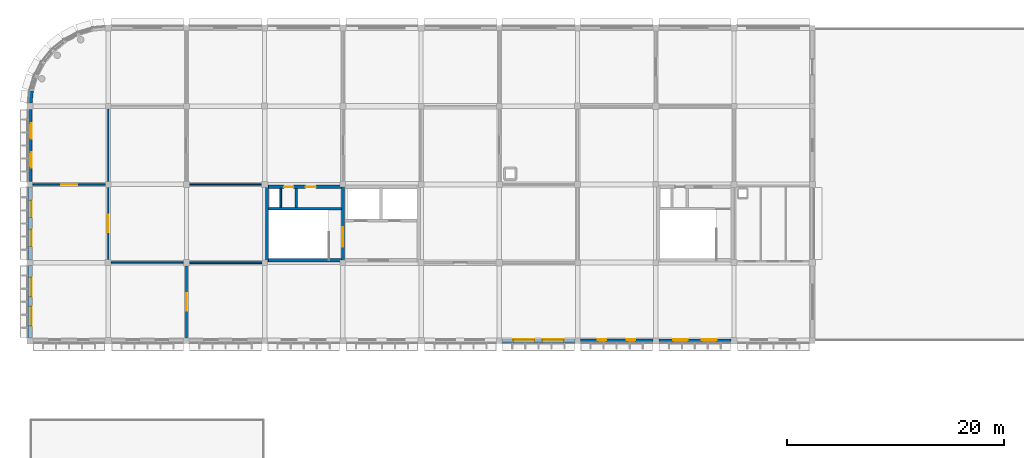
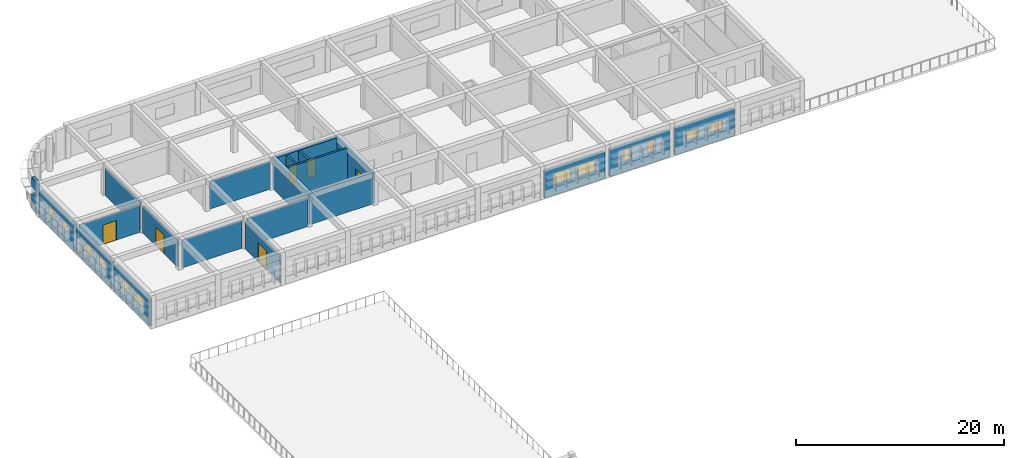
# One storey, part 15 of 22: 21 walls, 12 windows, 6 doors, 18 openings.
"""IFC4 building model written with IfcOpenShell, lengths in metres."""

from ifc_helpers import new_model, si_unit, direction, frame, frame_2d, origin, place, context, subcontext, project, spatial, rectangle, extrude, material, layer, layer_set, type_object, element, fill, save


model = new_model("IFC4")

# Units and contexts
model_context = context("Model", 3, precision=1e-05, world=origin(), true_north=direction((0.0, 1.0)))
body_context = subcontext(model_context, "Body", "Model", "MODEL_VIEW")
ifc_project = project(units=[si_unit("LENGTHUNIT", "METRE"), si_unit("AREAUNIT", "SQUARE_METRE"), si_unit("VOLUMEUNIT", "CUBIC_METRE"), si_unit("PLANEANGLEUNIT", "RADIAN"), si_unit("MASSUNIT", "GRAM", prefix="KILO")], contexts=[model_context])

# Site, building, storey
site_placement = place(None, origin())
site = spatial("IfcSite", under=ifc_project, at=site_placement, CompositionType="ELEMENT")
building_placement = place(site_placement, origin())
building = spatial("IfcBuilding", under=site, at=building_placement, Name="Thalmaran Polytechnic", CompositionType="ELEMENT")
storey_placement = place(building_placement, frame((0.0, 0.0, 22.800048828125)))
storey = spatial("IfcBuildingStorey", under=building, at=storey_placement, Name="L05", CompositionType="ELEMENT", Elevation=22.800048828125)

# Wall, openings, windows
ifc_material_1 = material(Name="Precast concrete C40/50", Category="concrete")
ifc_layer_1 = layer(ifc_material_1, 0.360107421875, Name="Precast concrete C40/50")
ifc_layer_set_1 = layer_set([ifc_layer_1], Name="Precast concrete C40/50")
wall_type_1 = type_object("IfcWallType", Name="WL-EW01", PredefinedType="STANDARD", material=ifc_layer_set_1)
wall_1_placement = place(storey_placement, frame((0.0, 93.875, 0.0), z_axis=(0.0, 0.0, 1.0), x_axis=(0.0, 1.0, 0.0)))
wall_1 = element("IfcWall", 1, at=wall_1_placement, inside=storey, type_object=wall_type_1, Name="Exterior Precast Facade Wall L05-001", PredefinedType="STANDARD", context=body_context, shape_type="SweptSolid", body=[
    extrude(rectangle(XDim=6.6650390625, YDim=0.360107421875, at=frame_2d((3.33251953125, 0.0))), origin(), (0.0, 0.0, 1.0), 3.094970703125),
])
opening_1_placement = place(wall_1_placement, frame((1.12451171875, 0.0, 1.14990234375)))
opening_1 = element("IfcOpeningElement", 2, at=opening_1_placement, cuts=wall_1, Name="Opening VW08", PredefinedType="OPENING", context=body_context, shape_type="SweptSolid", body=[
    extrude(rectangle(XDim=1.75, YDim=1.39990234375, at=frame_2d((0.875, 0.699951171875))), frame((0.0, 0.18994140625, 0.0), z_axis=(0.0, -1.0, 0.0), x_axis=(1.0, 0.0, 0.0)), (0.0, 0.0, 1.0), 0.380126953125),
])
opening_2_placement = place(wall_1_placement, frame((3.79052734375, 0.0, 1.14990234375)))
opening_2 = element("IfcOpeningElement", 3, at=opening_2_placement, cuts=wall_1, Name="Opening VW08", PredefinedType="OPENING", context=body_context, shape_type="SweptSolid", body=[
    extrude(rectangle(XDim=1.75, YDim=1.39990234375, at=frame_2d((0.875, 0.699951171875))), frame((0.0, 0.18994140625, 0.0), z_axis=(0.0, -1.0, 0.0), x_axis=(1.0, 0.0, 0.0)), (0.0, 0.0, 1.0), 0.380126953125),
])
ifc_material_2 = material(Name="Thermally broken aluminium and double low-E glass", Category="aluminium")
window_type_1 = type_object("IfcWindowType", Name="WN-VZ08", PartitioningType="SINGLE_PANEL", PredefinedType="WINDOW", material=ifc_material_2)
window_1_placement = place(opening_1_placement, origin())
window_1 = element("IfcWindow", 4, at=window_1_placement, inside=storey, type_object=window_type_1, Name="Deep-Set Solar-Screened Window W-0650", OverallHeight=1.39990234375, OverallWidth=1.75, PartitioningType="SINGLE_PANEL", PredefinedType="WINDOW", context=body_context, shape_type="SweptSolid", body=[
    extrude(rectangle(XDim=1.75, YDim=1.39990234375, at=frame_2d((0.875, 0.699951171875))), frame((0.0, -0.080078125, 0.0), z_axis=(0.0, -1.0, 0.0), x_axis=(1.0, 0.0, 0.0)), (0.0, 0.0, 1.0), 0.06005859375),
])
fill(opening_1, window_1)
window_2_placement = place(opening_2_placement, origin())
window_2 = element("IfcWindow", 5, at=window_2_placement, inside=storey, type_object=window_type_1, Name="Deep-Set Solar-Screened Window W-0651", OverallHeight=1.39990234375, OverallWidth=1.75, PartitioningType="SINGLE_PANEL", PredefinedType="WINDOW", context=body_context, shape_type="SweptSolid", body=[
    extrude(rectangle(XDim=1.75, YDim=1.39990234375, at=frame_2d((0.875, 0.699951171875))), frame((0.0, -0.080078125, 0.0), z_axis=(0.0, -1.0, 0.0), x_axis=(1.0, 0.0, 0.0)), (0.0, 0.0, 1.0), 0.06005859375),
])
fill(opening_2, window_2)

wall_2_placement = place(storey_placement, frame((0.0, 101.06005859375, 0.0), z_axis=(0.0, 0.0, 1.0), x_axis=(0.0, 1.0, 0.0)))
wall_2 = element("IfcWall", 6, at=wall_2_placement, inside=storey, type_object=wall_type_1, Name="Exterior Precast Facade Wall L05-002", PredefinedType="STANDARD", context=body_context, shape_type="SweptSolid", body=[
    extrude(rectangle(XDim=6.68994140625, YDim=0.360107421875, at=frame_2d((3.344970703125, 0.0))), origin(), (0.0, 0.0, 1.0), 3.094970703125),
])
opening_3_placement = place(wall_2_placement, frame((1.23193359375, 0.0, 1.14990234375)))
opening_3 = element("IfcOpeningElement", 7, at=opening_3_placement, cuts=wall_2, Name="Opening VW09", PredefinedType="OPENING", context=body_context, shape_type="SweptSolid", body=[
    extrude(rectangle(XDim=1.550048828125, YDim=1.35009765625, at=frame_2d((0.77490234375, 0.675048828125))), frame((0.0, 0.18994140625, 0.0), z_axis=(0.0, -1.0, 0.0), x_axis=(1.0, 0.0, 0.0)), (0.0, 0.0, 1.0), 0.380126953125),
])
opening_4_placement = place(wall_2_placement, frame((3.907958984375, 0.0, 1.14990234375)))
opening_4 = element("IfcOpeningElement", 8, at=opening_4_placement, cuts=wall_2, Name="Opening VW09", PredefinedType="OPENING", context=body_context, shape_type="SweptSolid", body=[
    extrude(rectangle(XDim=1.550048828125, YDim=1.35009765625, at=frame_2d((0.77490234375, 0.675048828125))), frame((0.0, 0.18994140625, 0.0), z_axis=(0.0, -1.0, 0.0), x_axis=(1.0, 0.0, 0.0)), (0.0, 0.0, 1.0), 0.380126953125),
])
window_type_2 = type_object("IfcWindowType", Name="WN-VZ09", PartitioningType="SINGLE_PANEL", PredefinedType="WINDOW", material=ifc_material_2)
window_3_placement = place(opening_3_placement, origin())
window_3 = element("IfcWindow", 9, at=window_3_placement, inside=storey, type_object=window_type_2, Name="Deep-Set Solar-Screened Window W-0652", OverallHeight=1.35009765625, OverallWidth=1.550048828125, PartitioningType="SINGLE_PANEL", PredefinedType="WINDOW", context=body_context, shape_type="SweptSolid", body=[
    extrude(rectangle(XDim=1.550048828125, YDim=1.35009765625, at=frame_2d((0.77490234375, 0.675048828125))), frame((0.0, -0.080078125, 0.0), z_axis=(0.0, -1.0, 0.0), x_axis=(1.0, 0.0, 0.0)), (0.0, 0.0, 1.0), 0.06005859375),
])
fill(opening_3, window_3)
window_4_placement = place(opening_4_placement, origin())
window_4 = element("IfcWindow", 10, at=window_4_placement, inside=storey, type_object=window_type_2, Name="Deep-Set Solar-Screened Window W-0653", OverallHeight=1.35009765625, OverallWidth=1.550048828125, PartitioningType="SINGLE_PANEL", PredefinedType="WINDOW", context=body_context, shape_type="SweptSolid", body=[
    extrude(rectangle(XDim=1.550048828125, YDim=1.35009765625, at=frame_2d((0.77490234375, 0.675048828125))), frame((0.0, -0.080078125, 0.0), z_axis=(0.0, -1.0, 0.0), x_axis=(1.0, 0.0, 0.0)), (0.0, 0.0, 1.0), 0.06005859375),
])
fill(opening_4, window_4)

wall_3_placement = place(storey_placement, frame((0.0, 108.25, 0.0), z_axis=(0.0, 0.0, 1.0), x_axis=(0.0, 1.0, 0.0)))
wall_3 = element("IfcWall", 11, at=wall_3_placement, inside=storey, type_object=wall_type_1, Name="Exterior Precast Facade Wall L05-003", PredefinedType="STANDARD", context=body_context, shape_type="SweptSolid", body=[
    extrude(rectangle(XDim=6.659912109375, YDim=0.360107421875, at=frame_2d((3.330078125, 0.0))), origin(), (0.0, 0.0, 1.0), 3.094970703125),
])
opening_5_placement = place(wall_3_placement, frame((1.298095703125, 0.0, 1.14990234375)))
opening_5 = element("IfcOpeningElement", 12, at=opening_5_placement, cuts=wall_3, Name="Opening VW10", PredefinedType="OPENING", context=body_context, shape_type="SweptSolid", body=[
    extrude(rectangle(XDim=1.39990234375, YDim=1.300048828125, at=frame_2d((0.699951171875, 0.64990234375))), frame((0.0, 0.18994140625, 0.0), z_axis=(0.0, -1.0, 0.0), x_axis=(1.0, 0.0, 0.0)), (0.0, 0.0, 1.0), 0.380126953125),
])
opening_6_placement = place(wall_3_placement, frame((3.9619140625, 0.0, 1.14990234375)))
opening_6 = element("IfcOpeningElement", 13, at=opening_6_placement, cuts=wall_3, Name="Opening VW10", PredefinedType="OPENING", context=body_context, shape_type="SweptSolid", body=[
    extrude(rectangle(XDim=1.39990234375, YDim=1.300048828125, at=frame_2d((0.699951171875, 0.64990234375))), frame((0.0, 0.18994140625, 0.0), z_axis=(0.0, -1.0, 0.0), x_axis=(1.0, 0.0, 0.0)), (0.0, 0.0, 1.0), 0.380126953125),
])
window_type_3 = type_object("IfcWindowType", Name="WN-VZ10", PartitioningType="SINGLE_PANEL", PredefinedType="WINDOW", material=ifc_material_2)
window_5_placement = place(opening_5_placement, origin())
window_5 = element("IfcWindow", 14, at=window_5_placement, inside=storey, type_object=window_type_3, Name="Deep-Set Solar-Screened Window W-0654", OverallHeight=1.300048828125, OverallWidth=1.39990234375, PartitioningType="SINGLE_PANEL", PredefinedType="WINDOW", context=body_context, shape_type="SweptSolid", body=[
    extrude(rectangle(XDim=1.39990234375, YDim=1.300048828125, at=frame_2d((0.699951171875, 0.64990234375))), frame((0.0, -0.080078125, 0.0), z_axis=(0.0, -1.0, 0.0), x_axis=(1.0, 0.0, 0.0)), (0.0, 0.0, 1.0), 0.06005859375),
])
fill(opening_5, window_5)
window_6_placement = place(opening_6_placement, origin())
window_6 = element("IfcWindow", 15, at=window_6_placement, inside=storey, type_object=window_type_3, Name="Deep-Set Solar-Screened Window W-0655", OverallHeight=1.300048828125, OverallWidth=1.39990234375, PartitioningType="SINGLE_PANEL", PredefinedType="WINDOW", context=body_context, shape_type="SweptSolid", body=[
    extrude(rectangle(XDim=1.39990234375, YDim=1.300048828125, at=frame_2d((0.699951171875, 0.64990234375))), frame((0.0, -0.080078125, 0.0), z_axis=(0.0, -1.0, 0.0), x_axis=(1.0, 0.0, 0.0)), (0.0, 0.0, 1.0), 0.06005859375),
])
fill(opening_6, window_6)

# Wall
wall_4_placement = place(storey_placement, frame((0.0283203125, 115.488525390625, 0.0), z_axis=(0.0, 0.0, 1.0), x_axis=(0.098167460497, 0.995169909965, 0.0)))
element("IfcWall", 16, at=wall_4_placement, inside=storey, type_object=wall_type_1, Name="Exterior Precast Facade Wall L05-004", PredefinedType="STANDARD", context=body_context, shape_type="SweptSolid", body=[
    extrude(rectangle(XDim=1.12158203125, YDim=0.360107421875, at=frame_2d((0.560791015625, 0.0))), origin(), (0.0, 0.0, 1.0), 3.669921875),
])

# Wall, openings, windows
wall_5_placement = place(storey_placement, frame((64.510009765625, 93.60009765625, 0.0), z_axis=(0.0, 0.0, 1.0), x_axis=(-1.0, 0.0, 0.0)))
wall_5 = element("IfcWall", 17, at=wall_5_placement, inside=storey, type_object=wall_type_1, Name="Exterior Precast Facade Wall L05-026", PredefinedType="STANDARD", context=body_context, shape_type="SweptSolid", body=[
    extrude(rectangle(XDim=6.635009765625, YDim=0.360107421875, at=frame_2d((3.3173828125, 0.0))), origin(), (0.0, 0.0, 1.0), 3.094970703125),
])
opening_7_placement = place(wall_5_placement, frame((1.3154296875, 0.0, 1.14990234375)))
opening_7 = element("IfcOpeningElement", 18, at=opening_7_placement, cuts=wall_5, Name="Opening PW15", PredefinedType="OPENING", context=body_context, shape_type="SweptSolid", body=[
    extrude(rectangle(XDim=1.35009765625, YDim=1.10009765625, at=frame_2d((0.675048828125, 0.550048828125))), frame((0.0, 0.18994140625, 0.0), z_axis=(0.0, -1.0, 0.0), x_axis=(1.0, 0.0, 0.0)), (0.0, 0.0, 1.0), 0.380126953125),
])
opening_8_placement = place(wall_5_placement, frame((3.969482421875, 0.0, 1.14990234375)))
opening_8 = element("IfcOpeningElement", 19, at=opening_8_placement, cuts=wall_5, Name="Opening PW15", PredefinedType="OPENING", context=body_context, shape_type="SweptSolid", body=[
    extrude(rectangle(XDim=1.35009765625, YDim=1.10009765625, at=frame_2d((0.675048828125, 0.550048828125))), frame((0.0, 0.18994140625, 0.0), z_axis=(0.0, -1.0, 0.0), x_axis=(1.0, 0.0, 0.0)), (0.0, 0.0, 1.0), 0.380126953125),
])
window_type_4 = type_object("IfcWindowType", Name="WN-PW05", PartitioningType="SINGLE_PANEL", PredefinedType="WINDOW", material=ifc_material_2)
window_7_placement = place(opening_7_placement, origin())
window_7 = element("IfcWindow", 20, at=window_7_placement, inside=storey, type_object=window_type_4, Name="Deep-Set Solar-Screened Window W-0674", OverallHeight=1.10009765625, OverallWidth=1.35009765625, PartitioningType="SINGLE_PANEL", PredefinedType="WINDOW", context=body_context, shape_type="SweptSolid", body=[
    extrude(rectangle(XDim=1.35009765625, YDim=1.10009765625, at=frame_2d((0.675048828125, 0.550048828125))), frame((0.0, -0.080078125, 0.0), z_axis=(0.0, -1.0, 0.0), x_axis=(1.0, 0.0, 0.0)), (0.0, 0.0, 1.0), 0.06005859375),
])
fill(opening_7, window_7)
window_8_placement = place(opening_8_placement, origin())
window_8 = element("IfcWindow", 21, at=window_8_placement, inside=storey, type_object=window_type_4, Name="Deep-Set Solar-Screened Window W-0675", OverallHeight=1.10009765625, OverallWidth=1.35009765625, PartitioningType="SINGLE_PANEL", PredefinedType="WINDOW", context=body_context, shape_type="SweptSolid", body=[
    extrude(rectangle(XDim=1.35009765625, YDim=1.10009765625, at=frame_2d((0.675048828125, 0.550048828125))), frame((0.0, -0.080078125, 0.0), z_axis=(0.0, -1.0, 0.0), x_axis=(1.0, 0.0, 0.0)), (0.0, 0.0, 1.0), 0.06005859375),
])
fill(opening_8, window_8)

wall_6_placement = place(storey_placement, frame((57.324951171875, 93.60009765625, 0.0), z_axis=(0.0, 0.0, 1.0), x_axis=(-1.0, 0.0, 0.0)))
wall_6 = element("IfcWall", 22, at=wall_6_placement, inside=storey, type_object=wall_type_1, Name="Exterior Precast Facade Wall L05-027", PredefinedType="STANDARD", context=body_context, shape_type="SweptSolid", body=[
    extrude(rectangle(XDim=6.6650390625, YDim=0.360107421875, at=frame_2d((3.33251953125, 0.0))), origin(), (0.0, 0.0, 1.0), 3.094970703125),
])
opening_9_placement = place(wall_6_placement, frame((1.599609375, 0.0, 1.14990234375)))
opening_9 = element("IfcOpeningElement", 23, at=opening_9_placement, cuts=wall_6, Name="Opening PW16", PredefinedType="OPENING", context=body_context, shape_type="SweptSolid", body=[
    extrude(rectangle(XDim=0.800048828125, YDim=1.5, at=frame_2d((0.39990234375, 0.75))), frame((0.0, 0.18994140625, 0.0), z_axis=(0.0, -1.0, 0.0), x_axis=(1.0, 0.0, 0.0)), (0.0, 0.0, 1.0), 0.380126953125),
])
opening_10_placement = place(wall_6_placement, frame((4.265380859375, 0.0, 1.14990234375)))
opening_10 = element("IfcOpeningElement", 24, at=opening_10_placement, cuts=wall_6, Name="Opening PW16", PredefinedType="OPENING", context=body_context, shape_type="SweptSolid", body=[
    extrude(rectangle(XDim=0.800048828125, YDim=1.5, at=frame_2d((0.39990234375, 0.75))), frame((0.0, 0.18994140625, 0.0), z_axis=(0.0, -1.0, 0.0), x_axis=(1.0, 0.0, 0.0)), (0.0, 0.0, 1.0), 0.380126953125),
])
window_type_5 = type_object("IfcWindowType", Name="WN-PW06", PartitioningType="SINGLE_PANEL", PredefinedType="WINDOW", material=ifc_material_2)
window_9_placement = place(opening_9_placement, origin())
window_9 = element("IfcWindow", 25, at=window_9_placement, inside=storey, type_object=window_type_5, Name="Deep-Set Solar-Screened Window W-0676", OverallHeight=1.5, OverallWidth=0.800048828125, PartitioningType="SINGLE_PANEL", PredefinedType="WINDOW", context=body_context, shape_type="SweptSolid", body=[
    extrude(rectangle(XDim=0.800048828125, YDim=1.5, at=frame_2d((0.39990234375, 0.75))), frame((0.0, -0.080078125, 0.0), z_axis=(0.0, -1.0, 0.0), x_axis=(1.0, 0.0, 0.0)), (0.0, 0.0, 1.0), 0.06005859375),
])
fill(opening_9, window_9)
window_10_placement = place(opening_10_placement, origin())
window_10 = element("IfcWindow", 26, at=window_10_placement, inside=storey, type_object=window_type_5, Name="Deep-Set Solar-Screened Window W-0677", OverallHeight=1.5, OverallWidth=0.800048828125, PartitioningType="SINGLE_PANEL", PredefinedType="WINDOW", context=body_context, shape_type="SweptSolid", body=[
    extrude(rectangle(XDim=0.800048828125, YDim=1.5, at=frame_2d((0.39990234375, 0.75))), frame((0.0, -0.080078125, 0.0), z_axis=(0.0, -1.0, 0.0), x_axis=(1.0, 0.0, 0.0)), (0.0, 0.0, 1.0), 0.06005859375),
])
fill(opening_10, window_10)

wall_7_placement = place(storey_placement, frame((50.139892578125, 93.60009765625, 0.0), z_axis=(0.0, 0.0, 1.0), x_axis=(-1.0, 0.0, 0.0)))
wall_7 = element("IfcWall", 27, at=wall_7_placement, inside=storey, type_object=wall_type_1, Name="Exterior Precast Facade Wall L05-028", PredefinedType="STANDARD", context=body_context, shape_type="SweptSolid", body=[
    extrude(rectangle(XDim=6.68994140625, YDim=0.360107421875, at=frame_2d((3.344970703125, 0.0))), origin(), (0.0, 0.0, 1.0), 3.094970703125),
])
opening_11_placement = place(wall_7_placement, frame((1.031982421875, 0.0, 1.14990234375)))
opening_11 = element("IfcOpeningElement", 28, at=opening_11_placement, cuts=wall_7, Name="Opening VW07", PredefinedType="OPENING", context=body_context, shape_type="SweptSolid", body=[
    extrude(rectangle(XDim=1.949951171875, YDim=1.39990234375, at=frame_2d((0.97509765625, 0.699951171875))), frame((0.0, 0.18994140625, 0.0), z_axis=(0.0, -1.0, 0.0), x_axis=(1.0, 0.0, 0.0)), (0.0, 0.0, 1.0), 0.380126953125),
])
opening_12_placement = place(wall_7_placement, frame((3.7080078125, 0.0, 1.14990234375)))
opening_12 = element("IfcOpeningElement", 29, at=opening_12_placement, cuts=wall_7, Name="Opening VW07", PredefinedType="OPENING", context=body_context, shape_type="SweptSolid", body=[
    extrude(rectangle(XDim=1.949951171875, YDim=1.39990234375, at=frame_2d((0.97509765625, 0.699951171875))), frame((0.0, 0.18994140625, 0.0), z_axis=(0.0, -1.0, 0.0), x_axis=(1.0, 0.0, 0.0)), (0.0, 0.0, 1.0), 0.380126953125),
])
window_type_6 = type_object("IfcWindowType", Name="WN-VZ07", PartitioningType="SINGLE_PANEL", PredefinedType="WINDOW", material=ifc_material_2)
window_11_placement = place(opening_11_placement, origin())
window_11 = element("IfcWindow", 30, at=window_11_placement, inside=storey, type_object=window_type_6, Name="Deep-Set Solar-Screened Window W-0678", OverallHeight=1.39990234375, OverallWidth=1.949951171875, PartitioningType="SINGLE_PANEL", PredefinedType="WINDOW", context=body_context, shape_type="SweptSolid", body=[
    extrude(rectangle(XDim=1.949951171875, YDim=1.39990234375, at=frame_2d((0.97509765625, 0.699951171875))), frame((0.0, -0.080078125, 0.0), z_axis=(0.0, -1.0, 0.0), x_axis=(1.0, 0.0, 0.0)), (0.0, 0.0, 1.0), 0.06005859375),
])
fill(opening_11, window_11)
window_12_placement = place(opening_12_placement, origin())
window_12 = element("IfcWindow", 31, at=window_12_placement, inside=storey, type_object=window_type_6, Name="Deep-Set Solar-Screened Window W-0679", OverallHeight=1.39990234375, OverallWidth=1.949951171875, PartitioningType="SINGLE_PANEL", PredefinedType="WINDOW", context=body_context, shape_type="SweptSolid", body=[
    extrude(rectangle(XDim=1.949951171875, YDim=1.39990234375, at=frame_2d((0.97509765625, 0.699951171875))), frame((0.0, -0.080078125, 0.0), z_axis=(0.0, -1.0, 0.0), x_axis=(1.0, 0.0, 0.0)), (0.0, 0.0, 1.0), 0.06005859375),
])
fill(opening_12, window_12)

# Walls
ifc_material_3 = material(Name="Autoclaved aerated masonry", Category="masonry")
ifc_layer_2 = layer(ifc_material_3, 0.22998046875, Name="Autoclaved aerated masonry")
ifc_layer_set_2 = layer_set([ifc_layer_2], Name="Autoclaved aerated masonry")
wall_type_2 = type_object("IfcWallType", Name="WL-IW02", PredefinedType="PARTITIONING", material=ifc_layer_set_2)
wall_8_placement = place(storey_placement, frame((24.5, 105.89990234375, 0.0), z_axis=(0.0, 0.0, 1.0), x_axis=(0.0, 1.0, 0.0)))
element("IfcWall", 32, at=wall_8_placement, inside=storey, type_object=wall_type_2, Name="Core C2 Riser Partition L05", PredefinedType="PARTITIONING", context=body_context, shape_type="SweptSolid", body=[
    extrude(rectangle(XDim=1.739990234375, YDim=0.22998046875, at=frame_2d((0.8701171875, 0.0))), origin(), (0.0, 0.0, 1.0), 3.669921875),
])
ifc_layer_3 = layer(ifc_material_3, 0.179931640625, Name="Autoclaved aerated masonry")
ifc_layer_set_3 = layer_set([ifc_layer_3], Name="Autoclaved aerated masonry")
wall_type_3 = type_object("IfcWallType", Name="WL-IW04", PredefinedType="PARTITIONING", material=ifc_layer_set_3)
wall_9_placement = place(storey_placement, frame((23.080078125, 105.8798828125, 0.0), z_axis=(0.0, 0.0, 1.0), x_axis=(0.0, 1.0, 0.0)))
element("IfcWall", 33, at=wall_9_placement, inside=storey, type_object=wall_type_3, Name="Core C2 Riser Shaft Enclosure Wall L05", PredefinedType="PARTITIONING", context=body_context, shape_type="SweptSolid", body=[
    extrude(rectangle(XDim=1.760009765625, YDim=0.179931640625, at=frame_2d((0.8798828125, 0.0))), origin(), (0.0, 0.0, 1.0), 3.669921875),
])

# Wall, opening, door
ifc_material_4 = material(Name="Gypsum acoustic partition")
ifc_layer_4 = layer(ifc_material_4, 0.159912109375, Name="Gypsum acoustic partition")
ifc_layer_set_4 = layer_set([ifc_layer_4], Name="Gypsum acoustic partition")
wall_type_4 = type_object("IfcWallType", Name="WL-IW05", PredefinedType="PARTITIONING", material=ifc_layer_set_4)
wall_10_placement = place(storey_placement, frame((14.39990234375, 93.85498046875, 0.0), z_axis=(0.0, 0.0, 1.0), x_axis=(0.0, 1.0, 0.0)))
wall_10 = element("IfcWall", 34, at=wall_10_placement, inside=storey, type_object=wall_type_4, Name="Interior Partition IW05 L05-013", PredefinedType="PARTITIONING", context=body_context, shape_type="SweptSolid", body=[
    extrude(rectangle(XDim=6.64990234375, YDim=0.159912109375, at=frame_2d((3.324951171875, 0.0))), origin(), (0.0, 0.0, 1.0), 3.204833984375),
])
opening_13_placement = place(wall_10_placement, frame((2.52490234375, 0.0, 0.0)))
opening_13 = element("IfcOpeningElement", 35, at=opening_13_placement, cuts=wall_10, Name="Opening D-L05-007-2-01-1", PredefinedType="OPENING", context=body_context, shape_type="SweptSolid", body=[
    extrude(rectangle(XDim=1.60009765625, YDim=2.199951171875, at=frame_2d((0.800048828125, 1.10009765625))), frame((0.0, 0.08984375, 0.0), z_axis=(0.0, -1.0, 0.0), x_axis=(1.0, 0.0, 0.0)), (0.0, 0.0, 1.0), 0.179931640625),
])
ifc_material_5 = material(Name="Powder-coated fire-rated steel", Category="steel")
door_type_1 = type_object("IfcDoorType", Name="DR-FD05", OperationType="NOTDEFINED", PredefinedType="DOOR", material=ifc_material_5)
door_1_placement = place(opening_13_placement, origin())
door_1 = element("IfcDoor", 36, at=door_1_placement, inside=storey, type_object=door_type_1, Name="Polytechnic Library Reading Hall L05-01 Door 1", OperationType="DOUBLE_DOOR_SINGLE_SWING", OverallHeight=2.199951171875, OverallWidth=1.60009765625, PredefinedType="DOOR", context=body_context, shape_type="SweptSolid", body=[
    extrude(rectangle(XDim=1.60009765625, YDim=2.199951171875, at=frame_2d((0.800048828125, 1.10009765625))), frame((0.0, 0.02490234375, 0.0), z_axis=(0.0, -1.0, 0.0), x_axis=(1.0, 0.0, 0.0)), (0.0, 0.0, 1.0), 0.050048828125),
])
fill(opening_13, door_1)

# Wall
wall_11_placement = place(storey_placement, frame((14.695068359375, 100.800048828125, 0.0), z_axis=(0.0, 0.0, 1.0), x_axis=(1.0, 0.0, 0.0)))
element("IfcWall", 37, at=wall_11_placement, inside=storey, type_object=wall_type_4, Name="Interior Partition IW05 L05-018", PredefinedType="PARTITIONING", context=body_context, shape_type="SweptSolid", body=[
    extrude(rectangle(XDim=6.64990234375, YDim=0.159912109375, at=frame_2d((3.324951171875, 0.0))), origin(), (0.0, 0.0, 1.0), 3.25),
])

# Wall, opening, door
ifc_layer_5 = layer(ifc_material_4, 0.1298828125, Name="Gypsum acoustic partition")
ifc_layer_set_5 = layer_set([ifc_layer_5], Name="Gypsum acoustic partition")
wall_type_5 = type_object("IfcWallType", Name="WL-IW07", PredefinedType="PARTITIONING", material=ifc_layer_set_5)
wall_12_placement = place(storey_placement, frame((0.2548828125, 108.0, 0.0), z_axis=(0.0, 0.0, 1.0), x_axis=(1.0, 0.0, 0.0)))
wall_12 = element("IfcWall", 38, at=wall_12_placement, inside=storey, type_object=wall_type_5, Name="Interior Partition IW07 L05-006", PredefinedType="PARTITIONING", context=body_context, shape_type="SweptSolid", body=[
    extrude(rectangle(XDim=6.68017578125, YDim=0.1298828125, at=frame_2d((3.340087890625, 0.0))), origin(), (0.0, 0.0, 1.0), 3.199951171875),
])
opening_14_placement = place(wall_12_placement, frame((2.60009765625, 0.0, 0.0)))
opening_14 = element("IfcOpeningElement", 39, at=opening_14_placement, cuts=wall_12, Name="Opening D-L05-010-2-04-1", PredefinedType="OPENING", context=body_context, shape_type="SweptSolid", body=[
    extrude(rectangle(XDim=1.47998046875, YDim=2.280029296875, at=frame_2d((0.739990234375, 1.14013671875))), frame((0.0, 0.074951171875, 0.0), z_axis=(0.0, -1.0, 0.0), x_axis=(1.0, 0.0, 0.0)), (0.0, 0.0, 1.0), 0.14990234375),
])
door_type_2 = type_object("IfcDoorType", Name="DR-ZD09", OperationType="NOTDEFINED", PredefinedType="DOOR", material=ifc_material_5)
door_2_placement = place(opening_14_placement, origin())
door_2 = element("IfcDoor", 40, at=door_2_placement, inside=storey, type_object=door_type_2, Name="Seminar Room L05-04 Door 1", OperationType="SINGLE_SWING_RIGHT", OverallHeight=2.280029296875, OverallWidth=1.47998046875, PredefinedType="DOOR", context=body_context, shape_type="SweptSolid", body=[
    extrude(rectangle(XDim=1.47998046875, YDim=2.280029296875, at=frame_2d((0.739990234375, 1.14013671875))), frame((0.0, 0.02490234375, 0.0), z_axis=(0.0, -1.0, 0.0), x_axis=(1.0, 0.0, 0.0)), (0.0, 0.0, 1.0), 0.050048828125),
])
fill(opening_14, door_2)

# Wall
wall_13_placement = place(storey_placement, frame((7.47998046875, 100.800048828125, 0.0), z_axis=(0.0, 0.0, 1.0), x_axis=(1.0, 0.0, 0.0)))
element("IfcWall", 41, at=wall_13_placement, inside=storey, type_object=wall_type_5, Name="Interior Partition IW07 L05-014", PredefinedType="PARTITIONING", context=body_context, shape_type="SweptSolid", body=[
    extrude(rectangle(XDim=6.625, YDim=0.1298828125, at=frame_2d((3.3125, 0.0))), origin(), (0.0, 0.0, 1.0), 3.239990234375),
])

# Wall, opening, door
ifc_layer_6 = layer(ifc_material_4, 0.114990234375, Name="Gypsum acoustic partition")
ifc_layer_set_6 = layer_set([ifc_layer_6], Name="Gypsum acoustic partition")
wall_type_6 = type_object("IfcWallType", Name="WL-IW08", PredefinedType="PARTITIONING", material=ifc_layer_set_6)
wall_14_placement = place(storey_placement, frame((7.199951171875, 101.080078125, 0.0), z_axis=(0.0, 0.0, 1.0), x_axis=(0.0, 1.0, 0.0)))
wall_14 = element("IfcWall", 42, at=wall_14_placement, inside=storey, type_object=wall_type_6, Name="Interior Partition IW08 L05-005", PredefinedType="PARTITIONING", context=body_context, shape_type="SweptSolid", body=[
    extrude(rectangle(XDim=6.655029296875, YDim=0.114990234375, at=frame_2d((3.32763671875, 0.0))), origin(), (0.0, 0.0, 1.0), 3.204833984375),
])
opening_15_placement = place(wall_14_placement, frame((2.527587890625, 0.0, 0.0)))
opening_15 = element("IfcOpeningElement", 43, at=opening_15_placement, cuts=wall_14, Name="Opening D-L05-008-2-02-1", PredefinedType="OPENING", context=body_context, shape_type="SweptSolid", body=[
    extrude(rectangle(XDim=1.60009765625, YDim=2.199951171875, at=frame_2d((0.800048828125, 1.10009765625))), frame((0.0, 0.0673828125, 0.0), z_axis=(0.0, -1.0, 0.0), x_axis=(1.0, 0.0, 0.0)), (0.0, 0.0, 1.0), 0.135009765625),
])
door_3_placement = place(opening_15_placement, origin())
door_3 = element("IfcDoor", 44, at=door_3_placement, inside=storey, type_object=door_type_1, Name="Library Book Stacks L05-02 Door 1", OperationType="DOUBLE_DOOR_SINGLE_SWING", OverallHeight=2.199951171875, OverallWidth=1.60009765625, PredefinedType="DOOR", context=body_context, shape_type="SweptSolid", body=[
    extrude(rectangle(XDim=1.60009765625, YDim=2.199951171875, at=frame_2d((0.800048828125, 1.10009765625))), frame((0.0, 0.02490234375, 0.0), z_axis=(0.0, -1.0, 0.0), x_axis=(1.0, 0.0, 0.0)), (0.0, 0.0, 1.0), 0.050048828125),
])
fill(opening_15, door_3)

# Walls
wall_15_placement = place(storey_placement, frame((7.199951171875, 108.264892578125, 0.0), z_axis=(0.0, 0.0, 1.0), x_axis=(0.0, 1.0, 0.0)))
element("IfcWall", 45, at=wall_15_placement, inside=storey, type_object=wall_type_6, Name="Interior Partition IW08 L05-007", PredefinedType="PARTITIONING", context=body_context, shape_type="SweptSolid", body=[
    extrude(rectangle(XDim=6.68017578125, YDim=0.114990234375, at=frame_2d((3.340087890625, 0.0))), origin(), (0.0, 0.0, 1.0), 3.27001953125),
])
wall_16_placement = place(storey_placement, frame((14.679931640625, 108.0, 0.0), z_axis=(0.0, 0.0, 1.0), x_axis=(1.0, 0.0, 0.0)))
element("IfcWall", 46, at=wall_16_placement, inside=storey, type_object=wall_type_6, Name="Interior Partition IW08 L05-019", PredefinedType="PARTITIONING", context=body_context, shape_type="SweptSolid", body=[
    extrude(rectangle(XDim=6.625, YDim=0.114990234375, at=frame_2d((3.3125, 0.0))), origin(), (0.0, 0.0, 1.0), 3.25),
])
ifc_material_6 = material(Name="Concrete C50/60", Category="concrete")
ifc_layer_7 = layer(ifc_material_6, 0.300048828125, Name="Concrete C50/60")
ifc_layer_set_7 = layer_set([ifc_layer_7], Name="Concrete C50/60")
wall_type_7 = type_object("IfcWallType", Name="WL-SW04", PredefinedType="SHEAR", material=ifc_layer_set_7)
wall_17_placement = place(storey_placement, frame((21.969970703125, 101.02001953125, 0.0), z_axis=(0.0, 0.0, 1.0), x_axis=(1.0, 0.0, 0.0)))
element("IfcWall", 47, at=wall_17_placement, inside=storey, type_object=wall_type_7, Name="Core C2 South Shear Wall L05", PredefinedType="SHEAR", context=body_context, shape_type="SweptSolid", body=[
    extrude(rectangle(XDim=6.679931640625, YDim=0.300048828125, at=frame_2d((3.33984375, 0.0))), origin(), (0.0, 0.0, 1.0), 3.669921875),
])
wall_18_placement = place(storey_placement, frame((21.820068359375, 107.929931640625, 0.0), z_axis=(0.0, 0.0, 1.0), x_axis=(0.0, -1.0, 0.0)))
element("IfcWall", 48, at=wall_18_placement, inside=storey, type_object=wall_type_7, Name="Core C2 West Shear Wall L05", PredefinedType="SHEAR", context=body_context, shape_type="SweptSolid", body=[
    extrude(rectangle(XDim=7.059814453125, YDim=0.300048828125, at=frame_2d((3.52978515625, 0.0))), origin(), (0.0, 0.0, 1.0), 3.669921875),
])

# Wall, openings, doors
wall_19_placement = place(storey_placement, frame((21.969970703125, 107.780029296875, 0.0), z_axis=(0.0, 0.0, 1.0), x_axis=(1.0, 0.0, 0.0)))
wall_19 = element("IfcWall", 49, at=wall_19_placement, inside=storey, type_object=wall_type_7, Name="Core C2 North Shear Wall L05", PredefinedType="SHEAR", context=body_context, shape_type="SweptSolid", body=[
    extrude(rectangle(XDim=6.679931640625, YDim=0.300048828125, at=frame_2d((3.33984375, 0.0))), origin(), (0.0, 0.0, 1.0), 3.669921875),
])
opening_16_placement = place(wall_19_placement, frame((1.419921875, 0.0, 0.0)))
opening_16 = element("IfcOpeningElement", 50, at=opening_16_placement, cuts=wall_19, Name="Opening DR-C2-L05-R", PredefinedType="OPENING", context=body_context, shape_type="SweptSolid", body=[
    extrude(rectangle(XDim=0.85009765625, YDim=2.10009765625, at=frame_2d((0.425048828125, 1.050048828125))), frame((0.0, 0.159912109375, 0.0), z_axis=(0.0, -1.0, 0.0), x_axis=(1.0, 0.0, 0.0)), (0.0, 0.0, 1.0), 0.320068359375),
])
opening_17_placement = place(wall_19_placement, frame((3.39990234375, 0.0, 0.0)))
opening_17 = element("IfcOpeningElement", 51, at=opening_17_placement, cuts=wall_19, Name="Opening ED-C2-L05-E", PredefinedType="OPENING", context=body_context, shape_type="SweptSolid", body=[
    extrude(rectangle(XDim=0.949951171875, YDim=2.14990234375, at=frame_2d((0.47509765625, 1.074951171875))), frame((0.0, 0.159912109375, 0.0), z_axis=(0.0, -1.0, 0.0), x_axis=(1.0, 0.0, 0.0)), (0.0, 0.0, 1.0), 0.320068359375),
])
door_type_3 = type_object("IfcDoorType", Name="DR-FD08", OperationType="NOTDEFINED", PredefinedType="DOOR", material=ifc_material_5)
door_4_placement = place(opening_17_placement, origin())
door_4 = element("IfcDoor", 52, at=door_4_placement, inside=storey, type_object=door_type_3, Name="Electrical Riser Door C2 L05", OperationType="SINGLE_SWING_LEFT", OverallHeight=2.14990234375, OverallWidth=0.949951171875, PredefinedType="DOOR", context=body_context, shape_type="SweptSolid", body=[
    extrude(rectangle(XDim=0.949951171875, YDim=2.14990234375, at=frame_2d((0.47509765625, 1.074951171875))), frame((0.0, 0.02490234375, 0.0), z_axis=(0.0, -1.0, 0.0), x_axis=(1.0, 0.0, 0.0)), (0.0, 0.0, 1.0), 0.050048828125),
])
fill(opening_17, door_4)
door_type_4 = type_object("IfcDoorType", Name="DR-FD09", OperationType="NOTDEFINED", PredefinedType="DOOR", material=ifc_material_5)
door_5_placement = place(opening_16_placement, origin())
door_5 = element("IfcDoor", 53, at=door_5_placement, inside=storey, type_object=door_type_4, Name="Riser Access Fire Door C2 L05", OperationType="SINGLE_SWING_LEFT", OverallHeight=2.10009765625, OverallWidth=0.85009765625, PredefinedType="DOOR", context=body_context, shape_type="SweptSolid", body=[
    extrude(rectangle(XDim=0.85009765625, YDim=2.10009765625, at=frame_2d((0.425048828125, 1.050048828125))), frame((0.0, 0.02490234375, 0.0), z_axis=(0.0, -1.0, 0.0), x_axis=(1.0, 0.0, 0.0)), (0.0, 0.0, 1.0), 0.050048828125),
])
fill(opening_16, door_5)

# Wall
wall_20_placement = place(storey_placement, frame((21.969970703125, 105.760009765625, 0.0), z_axis=(0.0, 0.0, 1.0), x_axis=(1.0, 0.0, 0.0)))
element("IfcWall", 54, at=wall_20_placement, inside=storey, type_object=wall_type_7, Name="Core C2 Stair Partition L05", PredefinedType="SHEAR", context=body_context, shape_type="SweptSolid", body=[
    extrude(rectangle(XDim=6.679931640625, YDim=0.219970703125, at=frame_2d((3.33984375, 0.0))), origin(), (0.0, 0.0, 1.0), 3.669921875),
])

# Wall, opening, door
wall_21_placement = place(storey_placement, frame((28.800048828125, 100.8701171875, 0.0), z_axis=(0.0, 0.0, 1.0), x_axis=(0.0, 1.0, 0.0)))
wall_21 = element("IfcWall", 55, at=wall_21_placement, inside=storey, type_object=wall_type_7, Name="Core C2 Stair-Lobby Dividing Shear Wall L05", PredefinedType="SHEAR", context=body_context, shape_type="SweptSolid", body=[
    extrude(rectangle(XDim=7.059814453125, YDim=0.300048828125, at=frame_2d((3.52978515625, 0.0))), origin(), (0.0, 0.0, 1.0), 3.669921875),
])
opening_18_placement = place(wall_21_placement, frame((1.39990234375, 0.0, 0.0)))
opening_18 = element("IfcOpeningElement", 56, at=opening_18_placement, cuts=wall_21, Name="Opening SD-ST2-L05", PredefinedType="OPENING", context=body_context, shape_type="SweptSolid", body=[
    extrude(rectangle(XDim=1.800048828125, YDim=2.199951171875, at=frame_2d((0.89990234375, 1.10009765625))), frame((0.0, 0.159912109375, 0.0), z_axis=(0.0, -1.0, 0.0), x_axis=(1.0, 0.0, 0.0)), (0.0, 0.0, 1.0), 0.320068359375),
])
door_type_5 = type_object("IfcDoorType", Name="DR-FD03", OperationType="NOTDEFINED", PredefinedType="DOOR", material=ifc_material_5)
door_6_placement = place(opening_18_placement, origin())
door_6 = element("IfcDoor", 57, at=door_6_placement, inside=storey, type_object=door_type_5, Name="Firefighting Lobby to Exit Stair Door ST2 L05", OperationType="SINGLE_SWING_RIGHT", OverallHeight=2.199951171875, OverallWidth=1.800048828125, PredefinedType="DOOR", context=body_context, shape_type="SweptSolid", body=[
    extrude(rectangle(XDim=1.800048828125, YDim=2.199951171875, at=frame_2d((0.89990234375, 1.10009765625))), frame((0.0, 0.02490234375, 0.0), z_axis=(0.0, -1.0, 0.0), x_axis=(1.0, 0.0, 0.0)), (0.0, 0.0, 1.0), 0.050048828125),
])
fill(opening_18, door_6)

save(model, "model.ifc")
